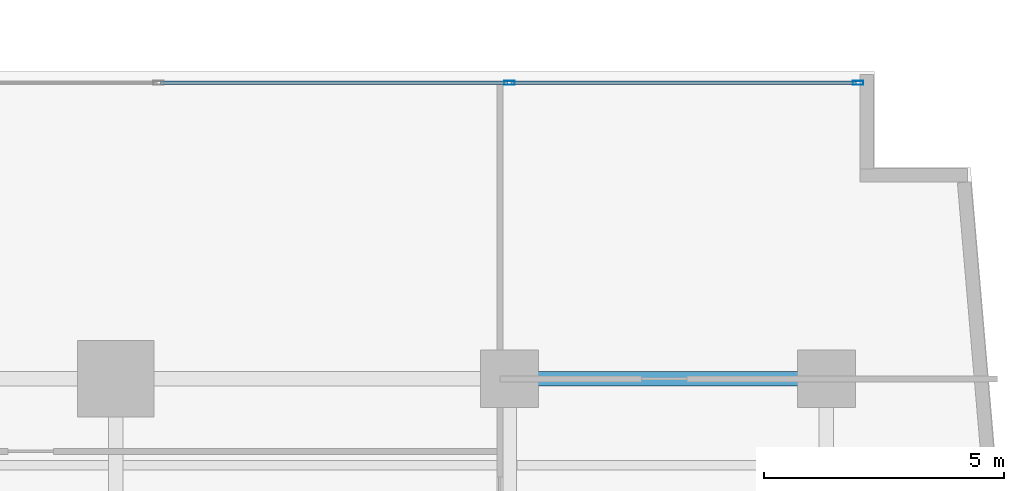
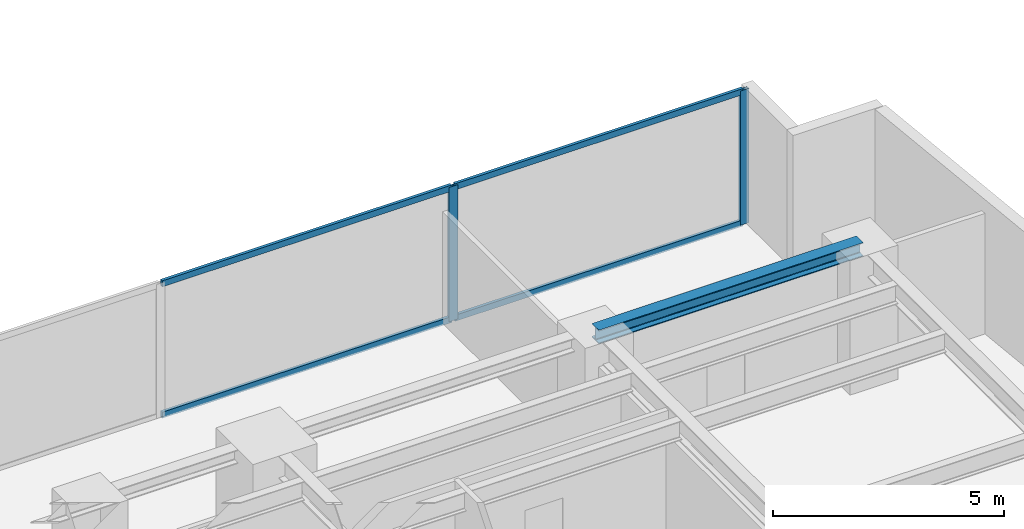
# One storey, part 14 of 27: 6 members, 1 beam, 1 element without a shape of its own.
"""IFC4 building model written with IfcOpenShell, lengths in metres."""

from ifc_helpers import new_model, si_unit, direction, frame, origin, origin_with_axes, origin_2d, place, context, subcontext, project, spatial, hollow_rectangle, i_section, extrude, source, transform, mapped, material, layer, layer_set, material_profile, profile_set, type_object, element, aggregate, save


model = new_model("IFC4")

# Units and contexts
model_context = context("Model", 3, precision=1e-05, world=origin(), true_north=direction((0.0, 1.0)))
body_context = subcontext(model_context, "Body", "Model", "MODEL_VIEW")
ifc_project = project(units=[si_unit("LENGTHUNIT", "METRE"), si_unit("AREAUNIT", "SQUARE_METRE"), si_unit("VOLUMEUNIT", "CUBIC_METRE"), si_unit("PLANEANGLEUNIT", "RADIAN"), si_unit("MASSUNIT", "GRAM", prefix="KILO")], contexts=[model_context])

# Site, building, storey
site_placement = place(None, origin())
site = spatial("IfcSite", under=ifc_project, at=site_placement, CompositionType="ELEMENT")
building_placement = place(site_placement, origin())
building = spatial("IfcBuilding", under=site, at=building_placement, Name="Kolvaren Waterfront Exchange", CompositionType="ELEMENT")
storey_placement = place(building_placement, frame((0.0, 0.0, 63.800048828125)))
storey = spatial("IfcBuildingStorey", under=building, at=storey_placement, Name="L16", CompositionType="ELEMENT", Elevation=63.800048828125)

# Beam
ifc_material_1 = material(Name="Steel S355", Category="steel")
ifc_material_profile_1 = material_profile(ifc_material_1, i_section(OverallWidth=0.300048828125, OverallDepth=0.360107421875, WebThickness=0.012451171875, FlangeThickness=0.0224609375, FilletRadius=0.027099609375, at=origin_2d()), Name="HEB360")
ifc_profile_set_1 = profile_set([ifc_material_profile_1], Name="Steel S355")
beam_type = type_object("IfcBeamType", Name="STR-BM-HEB360", PredefinedType="SPANDREL", material=ifc_profile_set_1)
beam_placement = place(storey_placement, frame((53.800048828125, 17.39990234375, 3.35986328125), z_axis=(1.0, 0.0, 0.0), x_axis=(0.0, 1.0, 0.0)))
element("IfcBeam", 1, at=beam_placement, inside=storey, type_object=beam_type, Name="L16 east-arm spandrel N5", PredefinedType="SPANDREL", context=body_context, shape_type="SweptSolid", body=[
    extrude(i_section(OverallWidth=0.300048828125, OverallDepth=0.360107421875, WebThickness=0.012451171875, FlangeThickness=0.0224609375, FilletRadius=0.027099609375, at=origin_2d()), origin(), (0.0, 0.0, 1.0), 6.599853515625),
])

# Curtain wall, members
ifc_material_2 = material(Name="Anodised bronze aluminium 6063-T6", Category="aluminium")
ifc_layer = layer(ifc_material_2, 0.219970703125, Name="Anodised bronze aluminium 6063-T6")
ifc_layer_set = layer_set([ifc_layer], Name="Anodised bronze aluminium 6063-T6")
curtain_wall_type = type_object("IfcCurtainWallType", Name="ARC-CW-SYS1", PredefinedType="USERDEFINED", material=ifc_layer_set)
curtain_wall_placement = place(storey_placement, origin())
curtain_wall = element("IfcCurtainWall", 2, at=curtain_wall_placement, inside=storey, type_object=curtain_wall_type, Name="L16 stick curtain wall CW1 (CW-L16-EN)", ObjectType="STICK CURTAIN WALL", PredefinedType="USERDEFINED")
ifc_material_3 = material(Name="Anodised aluminium 6063-T6", Category="aluminium")
ifc_material_profile_2 = material_profile(ifc_material_3, hollow_rectangle(XDim=0.074951171875, YDim=0.159912109375, WallThickness=0.00439453125, at=origin_2d()), Name="ALU-TRN-160x75x4.5")
ifc_profile_set_2 = profile_set([ifc_material_profile_2], Name="Anodised aluminium 6063-T6")
member_type_1 = type_object("IfcMemberType", Name="ARC-CWT-160", PredefinedType="USERDEFINED", material=ifc_profile_set_2)
shared_shape_1 = source(origin_with_axes(), body_context, "Body", "SweptSolid", [
    extrude(hollow_rectangle(XDim=0.074951171875, YDim=0.159912109375, WallThickness=0.00439453125, at=origin_2d()), origin(), (0.0, 0.0, 1.0), 7.1826171875),
])
member_1_placement = place(storey_placement, frame((53.83740234375, 23.56005859375, 0.037353515625), z_axis=(1.0, 0.0, 0.0), x_axis=(0.0, 1.0, 0.0)))
member_1 = element("IfcMember", 3, at=member_1_placement, type_object=member_type_1, Name="CW1 transom 4.1", ObjectType="TRANSOM", PredefinedType="USERDEFINED", context=body_context, shape_type="MappedRepresentation", body=[
    mapped(shared_shape_1, transform((0.0, 0.0, 0.0), x_axis=(1.0, 0.0, 0.0), y_axis=(0.0, 1.0, 0.0), z_axis=(0.0, 0.0, 1.0), scale=1.0)),
])
member_2_placement = place(storey_placement, frame((53.83740234375, 23.56005859375, 3.50244140625), z_axis=(1.0, 0.0, 0.0), x_axis=(0.0, 1.0, 0.0)))
member_2 = element("IfcMember", 4, at=member_2_placement, type_object=member_type_1, Name="CW1 transom 4.2", ObjectType="TRANSOM", PredefinedType="USERDEFINED", context=body_context, shape_type="MappedRepresentation", body=[
    mapped(shared_shape_1, transform((0.0, 0.0, 0.0), x_axis=(1.0, 0.0, 0.0), y_axis=(0.0, 1.0, 0.0), z_axis=(0.0, 0.0, 1.0), scale=1.0)),
])
shared_shape_2 = source(origin_with_axes(), body_context, "Body", "SweptSolid", [
    extrude(hollow_rectangle(XDim=0.074951171875, YDim=0.159912109375, WallThickness=0.00439453125, at=origin_2d()), origin(), (0.0, 0.0, 1.0), 7.22265625),
])
member_3_placement = place(storey_placement, frame((46.534912109375, 23.56005859375, 0.037353515625), z_axis=(1.0, 0.0, 0.0), x_axis=(0.0, 1.0, 0.0)))
member_3 = element("IfcMember", 5, at=member_3_placement, type_object=member_type_1, Name="CW1 transom 3.1", ObjectType="TRANSOM", PredefinedType="USERDEFINED", context=body_context, shape_type="MappedRepresentation", body=[
    mapped(shared_shape_2, transform((0.0, 0.0, 0.0), x_axis=(1.0, 0.0, 0.0), y_axis=(0.0, 1.0, 0.0), z_axis=(0.0, 0.0, 1.0), scale=1.0)),
])
member_4_placement = place(storey_placement, frame((46.534912109375, 23.56005859375, 3.50244140625), z_axis=(1.0, 0.0, 0.0), x_axis=(0.0, 1.0, 0.0)))
member_4 = element("IfcMember", 6, at=member_4_placement, type_object=member_type_1, Name="CW1 transom 3.2", ObjectType="TRANSOM", PredefinedType="USERDEFINED", context=body_context, shape_type="MappedRepresentation", body=[
    mapped(shared_shape_2, transform((0.0, 0.0, 0.0), x_axis=(1.0, 0.0, 0.0), y_axis=(0.0, 1.0, 0.0), z_axis=(0.0, 0.0, 1.0), scale=1.0)),
])
ifc_material_profile_3 = material_profile(ifc_material_3, hollow_rectangle(XDim=0.080078125, YDim=0.219970703125, WallThickness=0.0048828125, at=origin_2d()), Name="ALU-MUL-220x80x5")
ifc_profile_set_3 = profile_set([ifc_material_profile_3], Name="Anodised aluminium 6063-T6")
member_type_2 = type_object("IfcMemberType", Name="ARC-CWM-220", PredefinedType="MULLION", material=ifc_profile_set_3)
shared_shape_3 = source(origin_with_axes(), body_context, "Body", "SweptSolid", [
    extrude(hollow_rectangle(XDim=0.080078125, YDim=0.219970703125, WallThickness=0.0048828125, at=origin_2d()), origin(), (0.0, 0.0, 1.0), 3.5400390625),
])
member_5_placement = place(storey_placement, frame((53.797607421875, 23.56005859375, 0.0), z_axis=(0.0, 0.0, 1.0), x_axis=(0.0, 1.0, 0.0)))
member_5 = element("IfcMember", 7, at=member_5_placement, type_object=member_type_2, Name="CW1 mullion 4", PredefinedType="MULLION", context=body_context, shape_type="MappedRepresentation", body=[
    mapped(shared_shape_3, transform((0.0, 0.0, 0.0), x_axis=(1.0, 0.0, 0.0), y_axis=(0.0, 1.0, 0.0), z_axis=(0.0, 0.0, 1.0), scale=1.0)),
])
member_6_placement = place(storey_placement, frame((61.06005859375, 23.56005859375, 0.0), z_axis=(0.0, 0.0, 1.0), x_axis=(0.0, 1.0, 0.0)))
member_6 = element("IfcMember", 8, at=member_6_placement, type_object=member_type_2, Name="CW1 mullion 5", PredefinedType="MULLION", context=body_context, shape_type="MappedRepresentation", body=[
    mapped(shared_shape_3, transform((0.0, 0.0, 0.0), x_axis=(1.0, 0.0, 0.0), y_axis=(0.0, 1.0, 0.0), z_axis=(0.0, 0.0, 1.0), scale=1.0)),
])
aggregate(curtain_wall, [member_5, member_6, member_3, member_4, member_1, member_2])

save(model, "model.ifc")
